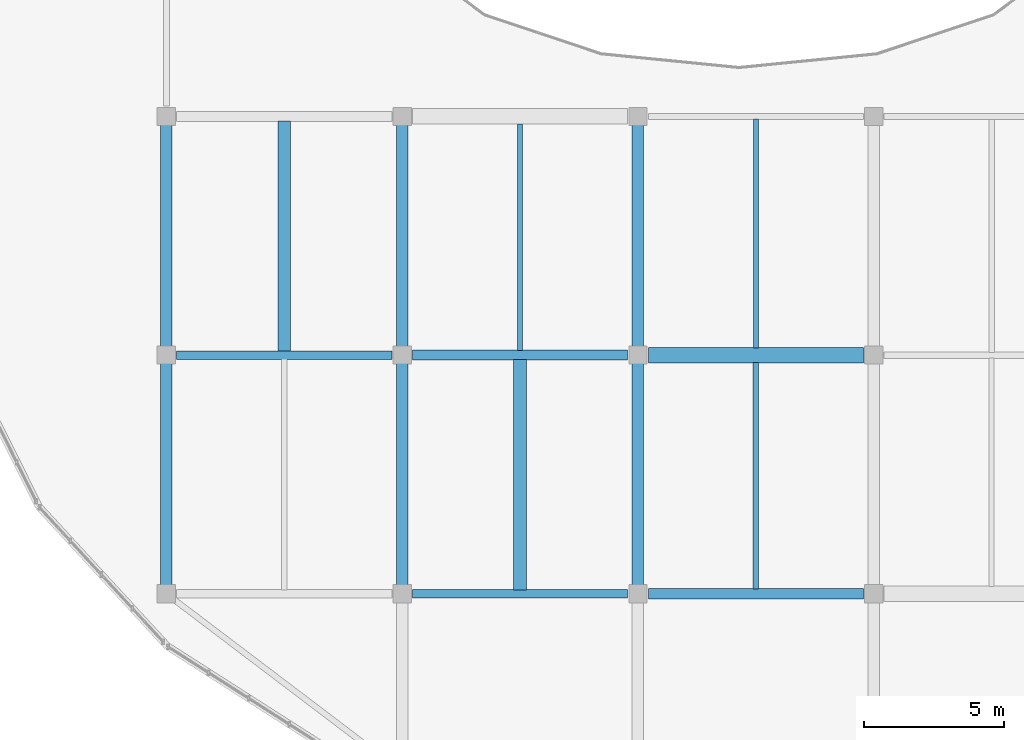
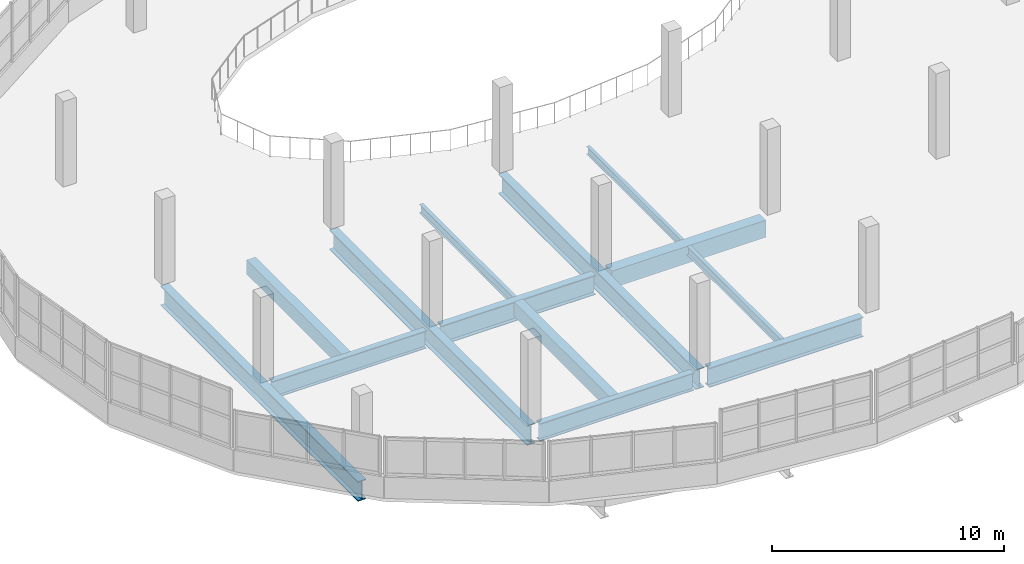
# One storey, part 9 of 50: 13 beams.
"""IFC4 building model written with IfcOpenShell, lengths in metres."""

from ifc_helpers import new_model, si_unit, direction, frame, origin, origin_2d, place, context, subcontext, project, spatial, rectangle, i_section, extrude, material, material_profile, profile_set, type_object, element, save


model = new_model("IFC4")

# Units and contexts
model_context = context("Model", 3, precision=1e-05, world=origin(), true_north=direction((0.0, 1.0)))
body_context = subcontext(model_context, "Body", "Model", "MODEL_VIEW")
ifc_project = project(units=[si_unit("LENGTHUNIT", "METRE"), si_unit("AREAUNIT", "SQUARE_METRE"), si_unit("VOLUMEUNIT", "CUBIC_METRE"), si_unit("PLANEANGLEUNIT", "RADIAN"), si_unit("MASSUNIT", "GRAM", prefix="KILO")], contexts=[model_context])

# Site, building, storey
site_placement = place(None, origin())
site = spatial("IfcSite", under=ifc_project, at=site_placement, CompositionType="ELEMENT")
building_placement = place(site_placement, origin())
building = spatial("IfcBuilding", under=site, at=building_placement, Name="Solvento Point Concert Hall", CompositionType="ELEMENT")
storey_placement = place(building_placement, frame((0.0, 0.0, 15.0)))
storey = spatial("IfcBuildingStorey", under=building, at=storey_placement, Name="L03", CompositionType="ELEMENT", Elevation=15.0)

# Beams
ifc_material_1 = material(Name="Concrete C35/45", Category="concrete")
ifc_material_profile_1 = material_profile(ifc_material_1, rectangle(XDim=0.449951171875, YDim=0.75, at=origin_2d()), Name="RC-BM-450X750")
ifc_profile_set_1 = profile_set([ifc_material_profile_1], Name="Concrete C35/45")
beam_type_1 = type_object("IfcBeamType", Name="Beam_RC_450x750", PredefinedType="BEAM", material=ifc_profile_set_1)
for number, where, z_axis, x_axis, name in (
    (1, (45.0, 25.638671875, -0.638916015625), (0.0, 1.0, 0.0), (-1.0, 0.0, 0.0), "Secondary floor joist B-28 L03"),
    (2, (53.39990234375, 17.138671875, -0.638916015625), (0.0, 1.0, 0.0), (-1.0, 0.0, 0.0), "Secondary floor joist B-28 L03"),
):
    element("IfcBeam", number, at=place(storey_placement, frame(where, z_axis=z_axis, x_axis=x_axis)), inside=storey, type_object=beam_type_1, Name=name, PredefinedType="BEAM", context=body_context, shape_type="SweptSolid", body=[
        extrude(rectangle(XDim=0.449951171875, YDim=0.75, at=origin_2d()), origin(), (0.0, 0.0, 1.0), 8.19580078125),
    ])
ifc_material_2 = material(Name="Structural Steel ASTM A992 Grade 50", Category="steel")
ifc_material_profile_2 = material_profile(ifc_material_2, i_section(OverallWidth=0.408935546875, OverallDepth=1.041015625, WebThickness=0.031005859375, FlangeThickness=0.04443359375, at=origin_2d()), Name="W40X397")
ifc_profile_set_2 = profile_set([ifc_material_profile_2], Name="Structural Steel ASTM A992 Grade 50")
beam_type_2 = type_object("IfcBeamType", Name="CantileverGirder_W40X397", PredefinedType="USERDEFINED", material=ifc_profile_set_2)
for number, where, z_axis, x_axis, name in (
    (3, (40.800048828125, 34.0, -0.785400390625), (0.0, -1.0, 0.0), (1.0, 0.0, 0.0), "Radial back-span girder CG-01 L03"),
    (4, (49.199951171875, 34.0, -0.785400390625), (0.0, -1.0, 0.0), (1.0, 0.0, 0.0), "Radial back-span girder CG-01 L03"),
    (5, (57.60009765625, 34.0, -0.785400390625), (0.0, -1.0, 0.0), (1.0, 0.0, 0.0), "Radial back-span girder CG-01 L03"),
):
    element("IfcBeam", number, at=place(storey_placement, frame(where, z_axis=z_axis, x_axis=x_axis)), inside=storey, type_object=beam_type_2, Name=name, ObjectType="GIRDER", PredefinedType="USERDEFINED", context=body_context, shape_type="SweptSolid", body=[
        extrude(i_section(OverallWidth=0.408935546875, OverallDepth=1.041015625, WebThickness=0.031005859375, FlangeThickness=0.04443359375, at=origin_2d()), origin(), (0.0, 0.0, 1.0), 17.0),
    ])
ifc_material_3 = material(Name="Concrete C35/45", Category="concrete")
ifc_material_profile_3 = material_profile(ifc_material_3, rectangle(XDim=0.550048828125, YDim=0.89990234375, at=origin_2d()), Name="RC-BM-550X900")
ifc_profile_set_3 = profile_set([ifc_material_profile_3], Name="Concrete C35/45")
beam_type_3 = type_object("IfcBeamType", Name="Girder_RC_550x900", PredefinedType="USERDEFINED", material=ifc_profile_set_3)
beam_1_placement = place(storey_placement, frame((57.968994140625, 25.5, -0.714111328125), z_axis=(1.0, 0.0, 0.0), x_axis=(0.0, 1.0, 0.0)))
element("IfcBeam", 6, at=beam_1_placement, inside=storey, type_object=beam_type_3, Name="Primary girder B-39 L03", ObjectType="GIRDER", PredefinedType="USERDEFINED", context=body_context, shape_type="SweptSolid", body=[
    extrude(rectangle(XDim=0.550048828125, YDim=0.89990234375, at=origin_2d()), origin(), (0.0, 0.0, 1.0), 7.662109375),
])
ifc_material_4 = material(Name="Structural Steel ASTM A992 Grade 50", Category="steel")
ifc_material_profile_4 = material_profile(ifc_material_4, i_section(OverallWidth=0.3076171875, OverallDepth=0.927001953125, WebThickness=0.019287109375, FlangeThickness=0.031982421875, at=origin_2d()), Name="W36X194")
ifc_profile_set_4 = profile_set([ifc_material_profile_4], Name="Structural Steel ASTM A992 Grade 50")
beam_type_4 = type_object("IfcBeamType", Name="Girder_W36X194", PredefinedType="USERDEFINED", material=ifc_profile_set_4)
beam_2_placement = place(storey_placement, frame((49.569091796875, 17.0, -0.7275390625), z_axis=(1.0, 0.0, 0.0), x_axis=(0.0, 1.0, 0.0)))
element("IfcBeam", 7, at=beam_2_placement, inside=storey, type_object=beam_type_4, Name="Primary girder B-61 L03", ObjectType="GIRDER", PredefinedType="USERDEFINED", context=body_context, shape_type="SweptSolid", body=[
    extrude(i_section(OverallWidth=0.3076171875, OverallDepth=0.927001953125, WebThickness=0.019287109375, FlangeThickness=0.031982421875, at=origin_2d()), origin(), (0.0, 0.0, 1.0), 7.661865234375),
])
beam_3_placement = place(storey_placement, frame((41.1689453125, 25.5, -0.7275390625), z_axis=(1.0, 0.0, 0.0), x_axis=(0.0, 1.0, 0.0)))
element("IfcBeam", 8, at=beam_3_placement, inside=storey, type_object=beam_type_4, Name="Primary girder B-61 L03", ObjectType="GIRDER", PredefinedType="USERDEFINED", context=body_context, shape_type="SweptSolid", body=[
    extrude(i_section(OverallWidth=0.3076171875, OverallDepth=0.927001953125, WebThickness=0.019287109375, FlangeThickness=0.031982421875, at=origin_2d()), origin(), (0.0, 0.0, 1.0), 7.662109375),
])
ifc_material_5 = material(Name="Structural Steel ASTM A992 Grade 50", Category="steel")
ifc_material_profile_5 = material_profile(ifc_material_5, i_section(OverallWidth=0.361083984375, OverallDepth=1.02587890625, WebThickness=0.01904296875, FlangeThickness=0.0361328125, at=origin_2d()), Name="W40X249")
ifc_profile_set_5 = profile_set([ifc_material_profile_5], Name="Structural Steel ASTM A992 Grade 50")
beam_type_5 = type_object("IfcBeamType", Name="Girder_W40X249", PredefinedType="USERDEFINED", material=ifc_profile_set_5)
beam_4_placement = place(storey_placement, frame((57.968994140625, 17.0, -0.777099609375), z_axis=(1.0, 0.0, 0.0), x_axis=(0.0, 1.0, 0.0)))
element("IfcBeam", 9, at=beam_4_placement, inside=storey, type_object=beam_type_5, Name="Primary girder B-29 L03", ObjectType="GIRDER", PredefinedType="USERDEFINED", context=body_context, shape_type="SweptSolid", body=[
    extrude(i_section(OverallWidth=0.361083984375, OverallDepth=1.02587890625, WebThickness=0.01904296875, FlangeThickness=0.0361328125, at=origin_2d()), origin(), (0.0, 0.0, 1.0), 7.662109375),
])
beam_5_placement = place(storey_placement, frame((49.569091796875, 25.5, -0.777099609375), z_axis=(1.0, 0.0, 0.0), x_axis=(0.0, 1.0, 0.0)))
element("IfcBeam", 10, at=beam_5_placement, inside=storey, type_object=beam_type_5, Name="Primary girder B-29 L03", ObjectType="GIRDER", PredefinedType="USERDEFINED", context=body_context, shape_type="SweptSolid", body=[
    extrude(i_section(OverallWidth=0.361083984375, OverallDepth=1.02587890625, WebThickness=0.01904296875, FlangeThickness=0.0361328125, at=origin_2d()), origin(), (0.0, 0.0, 1.0), 7.661865234375),
])
ifc_material_6 = material(Name="Structural Steel ASTM A992 Grade 50", Category="steel")
ifc_material_profile_6 = material_profile(ifc_material_6, i_section(OverallWidth=0.177490234375, OverallDepth=0.403076171875, WebThickness=0.007568359375, FlangeThickness=0.010986328125, at=origin_2d()), Name="W16X36")
ifc_profile_set_6 = profile_set([ifc_material_profile_6], Name="Structural Steel ASTM A992 Grade 50")
beam_type_6 = type_object("IfcBeamType", Name="Joist_W16X36", PredefinedType="JOIST", material=ifc_profile_set_6)
beam_6_placement = place(storey_placement, frame((61.800048828125, 25.760009765625, -0.465576171875), z_axis=(0.0, 1.0, 0.0), x_axis=(-1.0, 0.0, 0.0)))
element("IfcBeam", 11, at=beam_6_placement, inside=storey, type_object=beam_type_6, Name="Secondary floor joist B-30 L03", PredefinedType="JOIST", context=body_context, shape_type="SweptSolid", body=[
    extrude(i_section(OverallWidth=0.177490234375, OverallDepth=0.403076171875, WebThickness=0.007568359375, FlangeThickness=0.010986328125, at=origin_2d()), origin(), (0.0, 0.0, 1.0), 8.140869140625),
])
ifc_material_7 = material(Name="Structural Steel ASTM A992 Grade 50", Category="steel")
ifc_material_profile_7 = material_profile(ifc_material_7, i_section(OverallWidth=0.1904296875, OverallDepth=0.45703125, WebThickness=0.009033203125, FlangeThickness=0.014404296875, at=origin_2d()), Name="W18X50")
ifc_profile_set_7 = profile_set([ifc_material_profile_7], Name="Structural Steel ASTM A992 Grade 50")
beam_type_7 = type_object("IfcBeamType", Name="Joist_W18X50", PredefinedType="JOIST", material=ifc_profile_set_7)
for number, where, z_axis, x_axis, name in (
    (12, (53.39990234375, 25.66552734375, -0.492431640625), (0.0, 1.0, 0.0), (-1.0, 0.0, 0.0), "Secondary floor joist B-66 L03"),
    (13, (61.800048828125, 17.16552734375, -0.492431640625), (0.0, 1.0, 0.0), (-1.0, 0.0, 0.0), "Secondary floor joist B-66 L03"),
):
    element("IfcBeam", number, at=place(storey_placement, frame(where, z_axis=z_axis, x_axis=x_axis)), inside=storey, type_object=beam_type_7, Name=name, PredefinedType="JOIST", context=body_context, shape_type="SweptSolid", body=[
        extrude(i_section(OverallWidth=0.1904296875, OverallDepth=0.45703125, WebThickness=0.009033203125, FlangeThickness=0.014404296875, at=origin_2d()), origin(), (0.0, 0.0, 1.0), 8.074462890625),
    ])

save(model, "model.ifc")
